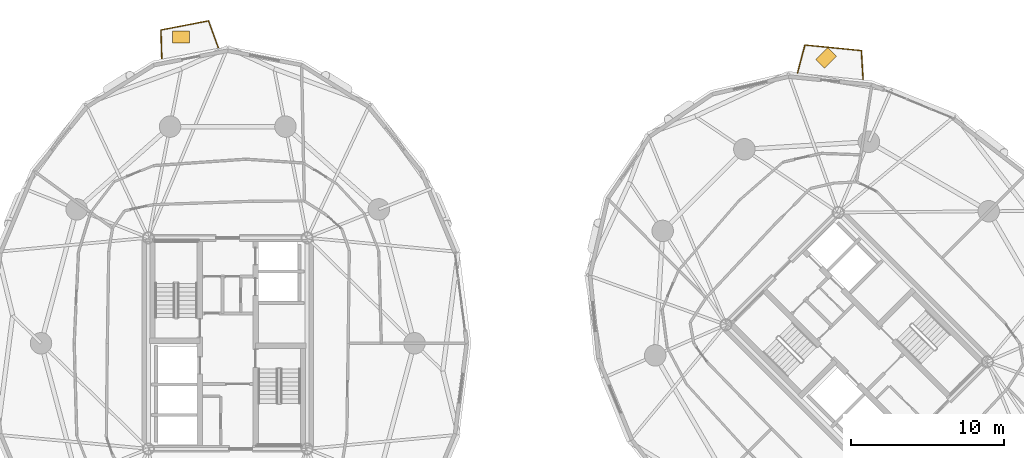
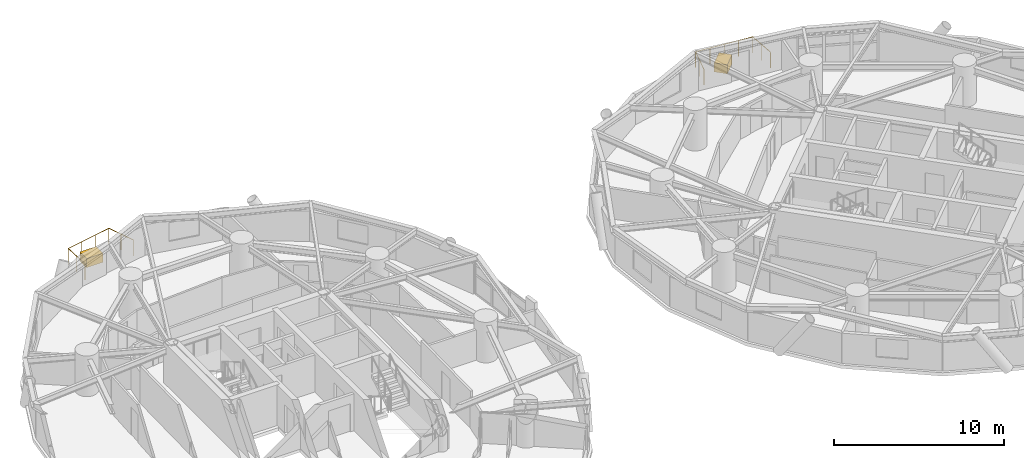
# One storey, part 18 of 18: 2 coverings, 2 railings.
"""IFC4 building model written with IfcOpenShell, lengths in metres."""

from ifc_helpers import new_model, si_unit, direction, frame, origin, origin_2d, place, context, subcontext, project, spatial, rectangle, circle, extrude, source, transform, mapped, material, layer, layer_set, type_object, element, save


model = new_model("IFC4")

# Units and contexts
model_context = context("Model", 3, precision=1e-05, world=origin(), true_north=direction((0.0, 1.0)))
body_context = subcontext(model_context, "Body", "Model", "MODEL_VIEW")
ifc_project = project(units=[si_unit("LENGTHUNIT", "METRE"), si_unit("AREAUNIT", "SQUARE_METRE"), si_unit("VOLUMEUNIT", "CUBIC_METRE"), si_unit("PLANEANGLEUNIT", "RADIAN"), si_unit("MASSUNIT", "GRAM", prefix="KILO")], contexts=[model_context])

# Site, building, storey
site_placement = place(None, origin())
site = spatial("IfcSite", under=ifc_project, at=site_placement, CompositionType="ELEMENT")
building_placement = place(site_placement, origin())
building = spatial("IfcBuilding", under=site, at=building_placement, Name="Cununo Teusaquillo Station Towers", CompositionType="ELEMENT")
storey_placement = place(building_placement, frame((0.0, 0.0, 87.610107421875)))
storey = spatial("IfcBuildingStorey", under=building, at=storey_placement, Name="L27", CompositionType="ELEMENT", Elevation=87.610107421875)

# Railings
ifc_material_1 = material(Name="Anodised dark bronze aluminium EN AW-6063-T6", Category="aluminium")
railing_type = type_object("IfcRailingType", Name="RL-EXT-GUARD", PredefinedType="GUARDRAIL", material=ifc_material_1)
railing_1_placement = place(storey_placement, frame((12.20166015625, 43.060546875, 0.0)))
element("IfcRailing", 1, at=railing_1_placement, inside=storey, type_object=railing_type, Name="L27 Tower A Balcony Guardrail C05", PredefinedType="GUARDRAIL", context=body_context, shape_type="SweptSolid", body=[
    extrude(circle(Radius=0.02392578125, at=origin_2d()), frame((0.0, 0.0, 1.1259765625), z_axis=(-0.030662031384, 0.999529809376, 0.0), x_axis=(-0.999529809376, -0.030662031384, 0.0)), (0.0, 0.0, 1.0), 1.86328125),
    extrude(circle(Radius=0.02392578125, at=origin_2d()), frame((-0.05712890625, 1.8623046875, 1.1259765625), z_axis=(0.981834317938, 0.189740275429, 0.0), x_axis=(-0.189740275429, 0.981834317938, 0.0)), (0.0, 0.0, 1.0), 3.15380859375),
    extrude(circle(Radius=0.02392578125, at=origin_2d()), frame((3.039306640625, 2.460693359375, 1.1259765625), z_axis=(0.343962021681, -0.9389835609, 0.0), x_axis=(0.9389835609, 0.343962021681, 0.0)), (0.0, 0.0, 1.0), 1.86328125),
    extrude(circle(Radius=0.02099609375, at=origin_2d()), origin(), (0.0, 0.0, 1.0), 1.101806640625),
    extrude(circle(Radius=0.02099609375, at=origin_2d()), frame((-0.028564453125, 0.93115234375, 0.0)), (0.0, 0.0, 1.0), 1.101806640625),
    extrude(circle(Radius=0.02099609375, at=origin_2d()), frame((-0.05712890625, 1.8623046875, 0.0)), (0.0, 0.0, 1.0), 1.101806640625),
    extrude(circle(Radius=0.02099609375, at=origin_2d()), frame((0.97509765625, 2.061767578125, 0.0)), (0.0, 0.0, 1.0), 1.101806640625),
    extrude(circle(Radius=0.02099609375, at=origin_2d()), frame((2.007080078125, 2.26123046875, 0.0)), (0.0, 0.0, 1.0), 1.101806640625),
    extrude(circle(Radius=0.02099609375, at=origin_2d()), frame((3.039306640625, 2.460693359375, 0.0)), (0.0, 0.0, 1.0), 1.101806640625),
    extrude(circle(Radius=0.02099609375, at=origin_2d()), frame((3.35986328125, 1.5859375, 0.0)), (0.0, 0.0, 1.0), 1.101806640625),
    extrude(circle(Radius=0.02099609375, at=origin_2d()), frame((3.68017578125, 0.711181640625, 0.0)), (0.0, 0.0, 1.0), 1.101806640625),
])
railing_2_placement = place(storey_placement, frame((53.64697265625, 42.13671875, 0.0)))
element("IfcRailing", 2, at=railing_2_placement, inside=storey, type_object=railing_type, Name="L27 Tower B Balcony Guardrail C02", PredefinedType="GUARDRAIL", context=body_context, shape_type="SweptSolid", body=[
    extrude(circle(Radius=0.02392578125, at=origin_2d()), frame((0.0, 0.0, 1.1259765625), z_axis=(0.255835186295, 0.966720413281, 0.0), x_axis=(-0.966720413281, 0.255835186295, 0.0)), (0.0, 0.0, 1.0), 1.871337890625),
    extrude(circle(Radius=0.02392578125, at=origin_2d()), frame((0.478759765625, 1.80908203125, 1.1259765625), z_axis=(0.99512777892, -0.098593628704, 0.0), x_axis=(0.098593628704, 0.99512777892, 0.0)), (0.0, 0.0, 1.0), 3.692138671875),
    extrude(circle(Radius=0.02392578125, at=origin_2d()), frame((4.15283203125, 1.445068359375, 1.1259765625), z_axis=(0.061184331575, -0.998126483753, 0.0), x_axis=(0.998126483753, 0.061184331575, 0.0)), (0.0, 0.0, 1.0), 1.871337890625),
    extrude(circle(Radius=0.02099609375, at=origin_2d()), origin(), (0.0, 0.0, 1.0), 1.101806640625),
    extrude(circle(Radius=0.02099609375, at=origin_2d()), frame((0.2392578125, 0.904541015625, 0.0)), (0.0, 0.0, 1.0), 1.101806640625),
    extrude(circle(Radius=0.02099609375, at=origin_2d()), frame((0.478759765625, 1.80908203125, 0.0)), (0.0, 0.0, 1.0), 1.101806640625),
    extrude(circle(Radius=0.02099609375, at=origin_2d()), frame((1.397216796875, 1.718017578125, 0.0)), (0.0, 0.0, 1.0), 1.101806640625),
    extrude(circle(Radius=0.02099609375, at=origin_2d()), frame((2.31591796875, 1.626953125, 0.0)), (0.0, 0.0, 1.0), 1.101806640625),
    extrude(circle(Radius=0.02099609375, at=origin_2d()), frame((3.234375, 1.5361328125, 0.0)), (0.0, 0.0, 1.0), 1.101806640625),
    extrude(circle(Radius=0.02099609375, at=origin_2d()), frame((4.15283203125, 1.445068359375, 0.0)), (0.0, 0.0, 1.0), 1.101806640625),
    extrude(circle(Radius=0.02099609375, at=origin_2d()), frame((4.2099609375, 0.51123046875, 0.0)), (0.0, 0.0, 1.0), 1.101806640625),
    extrude(circle(Radius=0.02099609375, at=origin_2d()), frame((4.267333984375, -0.4228515625, 0.0)), (0.0, 0.0, 1.0), 1.101806640625),
])

# Coverings
ifc_material_2 = material(Name="Architectural GRC planter shell and engineered root-zone substrate", Category="concrete")
ifc_layer = layer(ifc_material_2, 0.64990234375)
ifc_layer_set = layer_set([ifc_layer], Name="Architectural GRC planter shell and engineered root-zone substrate")
covering_type = type_object("IfcCoveringType", Name="COV-TREE-PLANTER", PredefinedType="CLADDING", material=ifc_layer_set)
shared_shape = source(origin(), body_context, "Body", "SweptSolid", [
    extrude(rectangle(XDim=1.10009765625, YDim=0.800048828125, at=origin_2d()), origin(), (0.0, 0.0, 1.0), 0.64990234375),
])
for number, where, z_axis, x_axis, name in (
    (3, (13.4462890625, 44.468505859375, 0.0), (0.0, 0.0, 1.0), (1.0, 0.0, 0.0), "L27 Tower A Balcony Tree PLANTER C05"),
    (4, (55.510986328125, 43.107666015625, 0.0), (0.0, 0.0, 1.0), (0.707106781187, 0.707106781187, 0.0), "L27 Tower B Balcony Tree PLANTER C02"),
):
    element("IfcCovering", number, at=place(storey_placement, frame(where, z_axis=z_axis, x_axis=x_axis)), inside=storey, type_object=covering_type, Name=name, PredefinedType="CLADDING", context=body_context, shape_type="MappedRepresentation", body=[
        mapped(shared_shape, transform((0.0, 0.0, 0.0), x_axis=(1.0, 0.0, 0.0), y_axis=(0.0, 1.0, 0.0), z_axis=(0.0, 0.0, 1.0), scale=1.0)),
    ])

save(model, "model.ifc")
